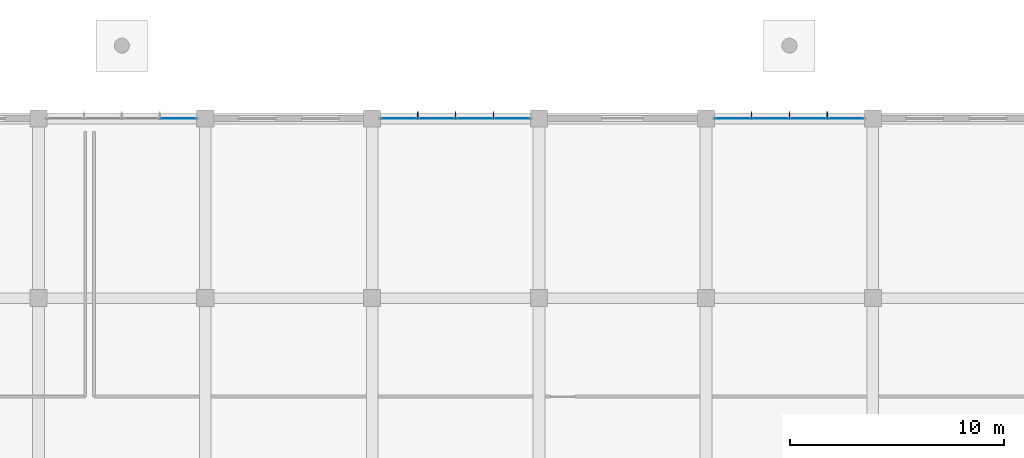
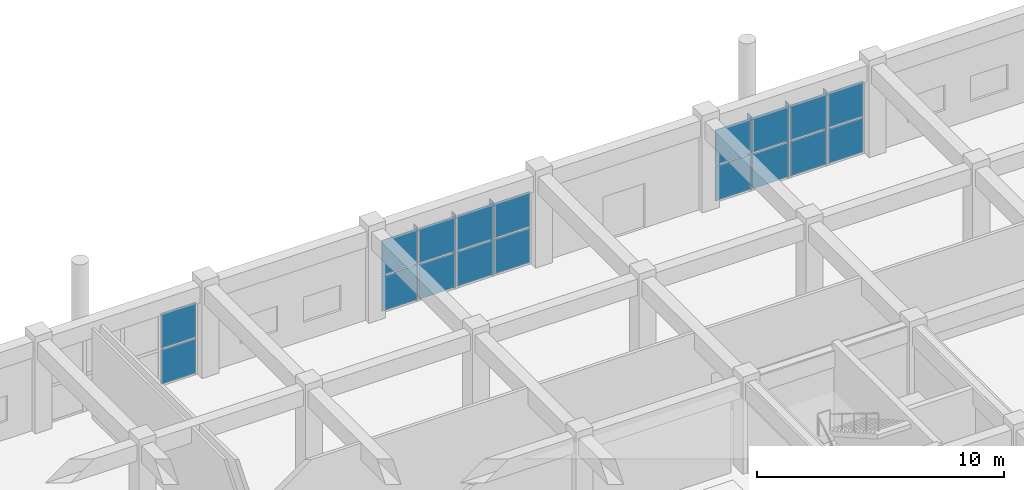
# One storey, part 119 of 139: 24 plates, 3 elements without a shape of their own.
"""IFC4 building model written with IfcOpenShell, lengths in metres."""

from ifc_helpers import new_model, si_unit, direction, frame, origin, origin_2d, place, context, subcontext, project, spatial, polyline, rectangle, outline, extrude, material, layer, layer_set, type_object, element, aggregate, save


model = new_model("IFC4")

# Units and contexts
model_context = context("Model", 3, precision=1e-05, world=origin(), true_north=direction((0.0, 1.0)))
body_context = subcontext(model_context, "Body", "Model", "MODEL_VIEW")
ifc_project = project(units=[si_unit("LENGTHUNIT", "METRE"), si_unit("AREAUNIT", "SQUARE_METRE"), si_unit("VOLUMEUNIT", "CUBIC_METRE"), si_unit("PLANEANGLEUNIT", "RADIAN"), si_unit("MASSUNIT", "GRAM", prefix="KILO")], contexts=[model_context])

# Site, building, storey
site_placement = place(None, origin())
site = spatial("IfcSite", under=ifc_project, at=site_placement, CompositionType="ELEMENT")
building_placement = place(site_placement, origin())
building = spatial("IfcBuilding", under=site, at=building_placement, Name="Zizhar Promenade General Hospital", CompositionType="ELEMENT")
storey_placement = place(building_placement, origin())
storey = spatial("IfcBuildingStorey", under=building, at=storey_placement, Name="L00", CompositionType="ELEMENT", Elevation=0.0)

# Curtain wall, plates
ifc_material_1 = material(Name="Anodised aluminium 6063-T6 and low-E glass", Category="aluminium")
ifc_layer_1 = layer(ifc_material_1, 0.159912109375)
ifc_layer_set_1 = layer_set([ifc_layer_1], Name="Anodised aluminium 6063-T6 and low-E glass")
curtain_wall_type = type_object("IfcCurtainWallType", Name="CW-DT-MOD2", PredefinedType="NOTDEFINED", material=ifc_layer_set_1)
curtain_wall_1_placement = place(storey_placement, origin())
curtain_wall_1 = element("IfcCurtainWall", 1, at=curtain_wall_1_placement, inside=storey, type_object=curtain_wall_type, Name="Surgical North Glazed Curtain Wall L00-11", PredefinedType="NOTDEFINED")
ifc_material_2 = material(Name="Low-E solar-control glass", Category="glass")
ifc_layer_2 = layer(ifc_material_2, 0.031982421875)
ifc_layer_set_2 = layer_set([ifc_layer_2], Name="Low-E solar-control glass")
plate_type_1 = type_object("IfcPlateType", Name="CWP-GLZ-32", PredefinedType="CURTAIN_PANEL", material=ifc_layer_set_2)
plate_1_placement = place(storey_placement, frame((92.3349609375, 134.39990234375, 0.06005859375), z_axis=(0.0, 0.0, 1.0), x_axis=(1.0, 0.0, 0.0)))
plate_1 = element("IfcPlate", 2, at=plate_1_placement, type_object=plate_type_1, Name="CW-08 panel 4.1", PredefinedType="CURTAIN_PANEL", context=body_context, shape_type="SweptSolid", body=[
    extrude(rectangle(XDim=1.64990234375, YDim=0.031982421875, at=origin_2d()), origin(), (0.0, 0.0, 1.0), 1.72509765625),
])
plate_2_placement = place(storey_placement, frame((92.3349609375, 134.39990234375, 1.844970703125), z_axis=(0.0, 0.0, 1.0), x_axis=(1.0, 0.0, 0.0)))
plate_2 = element("IfcPlate", 3, at=plate_2_placement, type_object=plate_type_1, Name="CW-08 panel 4.2", PredefinedType="CURTAIN_PANEL", context=body_context, shape_type="SweptSolid", body=[
    extrude(rectangle(XDim=1.64990234375, YDim=0.031982421875, at=origin_2d()), origin(), (0.0, 0.0, 1.0), 1.72509765625),
])
aggregate(curtain_wall_1, [plate_1, plate_2])

curtain_wall_2_placement = place(storey_placement, origin())
curtain_wall_2 = element("IfcCurtainWall", 4, at=curtain_wall_2_placement, inside=storey, type_object=curtain_wall_type, Name="Surgical North Glazed Curtain Wall L00-13", PredefinedType="NOTDEFINED")
plate_3_placement = place(storey_placement, frame((102.6650390625, 134.39990234375, 0.06005859375), z_axis=(0.0, 0.0, 1.0), x_axis=(1.0, 0.0, 0.0)))
plate_3 = element("IfcPlate", 5, at=plate_3_placement, type_object=plate_type_1, Name="CW-08 panel 1.1", PredefinedType="CURTAIN_PANEL", context=body_context, shape_type="SweptSolid", body=[
    extrude(rectangle(XDim=1.64990234375, YDim=0.031982421875, at=origin_2d()), origin(), (0.0, 0.0, 1.0), 1.72509765625),
])
plate_4_placement = place(storey_placement, frame((102.6650390625, 134.39990234375, 1.844970703125), z_axis=(0.0, 0.0, 1.0), x_axis=(1.0, 0.0, 0.0)))
plate_4 = element("IfcPlate", 6, at=plate_4_placement, type_object=plate_type_1, Name="CW-08 panel 1.2", PredefinedType="CURTAIN_PANEL", context=body_context, shape_type="SweptSolid", body=[
    extrude(rectangle(XDim=1.64990234375, YDim=0.031982421875, at=origin_2d()), origin(), (0.0, 0.0, 1.0), 1.72509765625),
])
plate_5_placement = place(storey_placement, frame((104.4150390625, 134.39990234375, 0.06005859375), z_axis=(0.0, 0.0, 1.0), x_axis=(1.0, 0.0, 0.0)))
plate_5 = element("IfcPlate", 7, at=plate_5_placement, type_object=plate_type_1, Name="CW-08 panel 2.1", PredefinedType="CURTAIN_PANEL", context=body_context, shape_type="SweptSolid", body=[
    extrude(rectangle(XDim=1.68994140625, YDim=0.031982421875, at=origin_2d()), origin(), (0.0, 0.0, 1.0), 1.72509765625),
])
plate_6_placement = place(storey_placement, frame((104.4150390625, 134.39990234375, 1.844970703125), z_axis=(0.0, 0.0, 1.0), x_axis=(1.0, 0.0, 0.0)))
plate_6 = element("IfcPlate", 8, at=plate_6_placement, type_object=plate_type_1, Name="CW-08 panel 2.2", PredefinedType="CURTAIN_PANEL", context=body_context, shape_type="SweptSolid", body=[
    extrude(rectangle(XDim=1.68994140625, YDim=0.031982421875, at=origin_2d()), origin(), (0.0, 0.0, 1.0), 1.72509765625),
])
plate_7_placement = place(storey_placement, frame((106.18505859375, 134.39990234375, 0.06005859375), z_axis=(0.0, 0.0, 1.0), x_axis=(1.0, 0.0, 0.0)))
plate_7 = element("IfcPlate", 9, at=plate_7_placement, type_object=plate_type_1, Name="CW-08 panel 3.1", PredefinedType="CURTAIN_PANEL", context=body_context, shape_type="SweptSolid", body=[
    extrude(rectangle(XDim=1.68994140625, YDim=0.031982421875, at=origin_2d()), origin(), (0.0, 0.0, 1.0), 1.72509765625),
])
plate_8_placement = place(storey_placement, frame((106.18505859375, 134.39990234375, 1.844970703125), z_axis=(0.0, 0.0, 1.0), x_axis=(1.0, 0.0, 0.0)))
plate_8 = element("IfcPlate", 10, at=plate_8_placement, type_object=plate_type_1, Name="CW-08 panel 3.2", PredefinedType="CURTAIN_PANEL", context=body_context, shape_type="SweptSolid", body=[
    extrude(rectangle(XDim=1.68994140625, YDim=0.031982421875, at=origin_2d()), origin(), (0.0, 0.0, 1.0), 1.72509765625),
])
plate_9_placement = place(storey_placement, frame((107.93505859375, 134.39990234375, 0.06005859375), z_axis=(0.0, 0.0, 1.0), x_axis=(1.0, 0.0, 0.0)))
plate_9 = element("IfcPlate", 11, at=plate_9_placement, type_object=plate_type_1, Name="CW-08 panel 4.1", PredefinedType="CURTAIN_PANEL", context=body_context, shape_type="SweptSolid", body=[
    extrude(rectangle(XDim=1.64990234375, YDim=0.031982421875, at=origin_2d()), origin(), (0.0, 0.0, 1.0), 1.72509765625),
])
plate_10_placement = place(storey_placement, frame((107.93505859375, 134.39990234375, 1.844970703125), z_axis=(0.0, 0.0, 1.0), x_axis=(1.0, 0.0, 0.0)))
plate_10 = element("IfcPlate", 12, at=plate_10_placement, type_object=plate_type_1, Name="CW-08 panel 4.2", PredefinedType="CURTAIN_PANEL", context=body_context, shape_type="SweptSolid", body=[
    extrude(rectangle(XDim=1.64990234375, YDim=0.031982421875, at=origin_2d()), origin(), (0.0, 0.0, 1.0), 1.72509765625),
])
aggregate(curtain_wall_2, [plate_3, plate_4, plate_5, plate_6, plate_7, plate_8, plate_9, plate_10])

curtain_wall_3_placement = place(storey_placement, origin())
curtain_wall_3 = element("IfcCurtainWall", 13, at=curtain_wall_3_placement, inside=storey, type_object=curtain_wall_type, Name="Surgical North Glazed Curtain Wall L00-15", PredefinedType="NOTDEFINED")
plate_11_placement = place(storey_placement, frame((118.264892578125, 134.39990234375, 0.06005859375), z_axis=(0.0, 0.0, 1.0), x_axis=(1.0, 0.0, 0.0)))
plate_11 = element("IfcPlate", 14, at=plate_11_placement, type_object=plate_type_1, Name="CW-08 panel 1.1", PredefinedType="CURTAIN_PANEL", context=body_context, shape_type="SweptSolid", body=[
    extrude(rectangle(XDim=1.64990234375, YDim=0.031982421875, at=origin_2d()), origin(), (0.0, 0.0, 1.0), 1.72509765625),
])
plate_12_placement = place(storey_placement, frame((118.264892578125, 134.39990234375, 1.844970703125), z_axis=(0.0, 0.0, 1.0), x_axis=(1.0, 0.0, 0.0)))
plate_12 = element("IfcPlate", 15, at=plate_12_placement, type_object=plate_type_1, Name="CW-08 panel 1.2", PredefinedType="CURTAIN_PANEL", context=body_context, shape_type="SweptSolid", body=[
    extrude(rectangle(XDim=1.64990234375, YDim=0.031982421875, at=origin_2d()), origin(), (0.0, 0.0, 1.0), 1.72509765625),
])
plate_13_placement = place(storey_placement, frame((120.014892578125, 134.39990234375, 0.06005859375), z_axis=(0.0, 0.0, 1.0), x_axis=(1.0, 0.0, 0.0)))
plate_13 = element("IfcPlate", 16, at=plate_13_placement, type_object=plate_type_1, Name="CW-08 panel 2.1", PredefinedType="CURTAIN_PANEL", context=body_context, shape_type="SweptSolid", body=[
    extrude(rectangle(XDim=1.68994140625, YDim=0.031982421875, at=origin_2d()), origin(), (0.0, 0.0, 1.0), 1.72509765625),
])
plate_14_placement = place(storey_placement, frame((120.014892578125, 134.39990234375, 1.844970703125), z_axis=(0.0, 0.0, 1.0), x_axis=(1.0, 0.0, 0.0)))
plate_14 = element("IfcPlate", 17, at=plate_14_placement, type_object=plate_type_1, Name="CW-08 panel 2.2", PredefinedType="CURTAIN_PANEL", context=body_context, shape_type="SweptSolid", body=[
    extrude(rectangle(XDim=1.68994140625, YDim=0.031982421875, at=origin_2d()), origin(), (0.0, 0.0, 1.0), 1.72509765625),
])
plate_15_placement = place(storey_placement, frame((121.784912109375, 134.39990234375, 0.06005859375), z_axis=(0.0, 0.0, 1.0), x_axis=(1.0, 0.0, 0.0)))
plate_15 = element("IfcPlate", 18, at=plate_15_placement, type_object=plate_type_1, Name="CW-08 panel 3.1", PredefinedType="CURTAIN_PANEL", context=body_context, shape_type="SweptSolid", body=[
    extrude(rectangle(XDim=1.68994140625, YDim=0.031982421875, at=origin_2d()), origin(), (0.0, 0.0, 1.0), 1.72509765625),
])
plate_16_placement = place(storey_placement, frame((121.784912109375, 134.39990234375, 1.844970703125), z_axis=(0.0, 0.0, 1.0), x_axis=(1.0, 0.0, 0.0)))
plate_16 = element("IfcPlate", 19, at=plate_16_placement, type_object=plate_type_1, Name="CW-08 panel 3.2", PredefinedType="CURTAIN_PANEL", context=body_context, shape_type="SweptSolid", body=[
    extrude(rectangle(XDim=1.68994140625, YDim=0.031982421875, at=origin_2d()), origin(), (0.0, 0.0, 1.0), 1.72509765625),
])
plate_17_placement = place(storey_placement, frame((123.534912109375, 134.39990234375, 0.06005859375), z_axis=(0.0, 0.0, 1.0), x_axis=(1.0, 0.0, 0.0)))
plate_17 = element("IfcPlate", 20, at=plate_17_placement, type_object=plate_type_1, Name="CW-08 panel 4.1", PredefinedType="CURTAIN_PANEL", context=body_context, shape_type="SweptSolid", body=[
    extrude(rectangle(XDim=1.64990234375, YDim=0.031982421875, at=origin_2d()), origin(), (0.0, 0.0, 1.0), 1.72509765625),
])
plate_18_placement = place(storey_placement, frame((123.534912109375, 134.39990234375, 1.844970703125), z_axis=(0.0, 0.0, 1.0), x_axis=(1.0, 0.0, 0.0)))
plate_18 = element("IfcPlate", 21, at=plate_18_placement, type_object=plate_type_1, Name="CW-08 panel 4.2", PredefinedType="CURTAIN_PANEL", context=body_context, shape_type="SweptSolid", body=[
    extrude(rectangle(XDim=1.64990234375, YDim=0.031982421875, at=origin_2d()), origin(), (0.0, 0.0, 1.0), 1.72509765625),
])
aggregate(curtain_wall_3, [plate_11, plate_12, plate_13, plate_14, plate_15, plate_16, plate_17, plate_18])

# Plates
ifc_material_3 = material(Name="Anodised aluminium 6063-T6", Category="aluminium")
ifc_layer_3 = layer(ifc_material_3, 0.033935546875)
ifc_layer_set_3 = layer_set([ifc_layer_3], Name="Anodised aluminium 6063-T6")
plate_type_2 = type_object("IfcPlateType", Name="FIN-ALU-320", PredefinedType="USERDEFINED", material=ifc_layer_set_3)
plate_19_placement = place(storey_placement, origin())
element("IfcPlate", 22, at=plate_19_placement, inside=storey, type_object=plate_type_2, Name="Surgical North Glazed Curtain Wall L00-13 Solar Fin 1", ObjectType="SOLAR_SHADE", PredefinedType="USERDEFINED", context=body_context, shape_type="SweptSolid", body=[
    extrude(outline(polyline([(103.512939453125, 134.39990234375), (103.547119140625, 134.39990234375), (103.547119140625, 134.719970703125), (103.512939453125, 134.719970703125), (103.512939453125, 134.39990234375)])), origin(), (0.0, 0.0, 1.0), 3.6298828125),
])
plate_20_placement = place(storey_placement, origin())
element("IfcPlate", 23, at=plate_20_placement, inside=storey, type_object=plate_type_2, Name="Surgical North Glazed Curtain Wall L00-13 Solar Fin 2", ObjectType="SOLAR_SHADE", PredefinedType="USERDEFINED", context=body_context, shape_type="SweptSolid", body=[
    extrude(outline(polyline([(105.282958984375, 134.39990234375), (105.31689453125, 134.39990234375), (105.31689453125, 134.719970703125), (105.282958984375, 134.719970703125), (105.282958984375, 134.39990234375)])), origin(), (0.0, 0.0, 1.0), 3.6298828125),
])
plate_21_placement = place(storey_placement, origin())
element("IfcPlate", 24, at=plate_21_placement, inside=storey, type_object=plate_type_2, Name="Surgical North Glazed Curtain Wall L00-13 Solar Fin 3", ObjectType="SOLAR_SHADE", PredefinedType="USERDEFINED", context=body_context, shape_type="SweptSolid", body=[
    extrude(outline(polyline([(107.052978515625, 134.39990234375), (107.0869140625, 134.39990234375), (107.0869140625, 134.719970703125), (107.052978515625, 134.719970703125), (107.052978515625, 134.39990234375)])), origin(), (0.0, 0.0, 1.0), 3.6298828125),
])
plate_22_placement = place(storey_placement, origin())
element("IfcPlate", 25, at=plate_22_placement, inside=storey, type_object=plate_type_2, Name="Surgical North Glazed Curtain Wall L00-15 Solar Fin 1", ObjectType="SOLAR_SHADE", PredefinedType="USERDEFINED", context=body_context, shape_type="SweptSolid", body=[
    extrude(outline(polyline([(119.113037109375, 134.39990234375), (119.14697265625, 134.39990234375), (119.14697265625, 134.719970703125), (119.113037109375, 134.719970703125), (119.113037109375, 134.39990234375)])), origin(), (0.0, 0.0, 1.0), 3.6298828125),
])
plate_23_placement = place(storey_placement, origin())
element("IfcPlate", 26, at=plate_23_placement, inside=storey, type_object=plate_type_2, Name="Surgical North Glazed Curtain Wall L00-15 Solar Fin 2", ObjectType="SOLAR_SHADE", PredefinedType="USERDEFINED", context=body_context, shape_type="SweptSolid", body=[
    extrude(outline(polyline([(120.883056640625, 134.39990234375), (120.9169921875, 134.39990234375), (120.9169921875, 134.719970703125), (120.883056640625, 134.719970703125), (120.883056640625, 134.39990234375)])), origin(), (0.0, 0.0, 1.0), 3.6298828125),
])
plate_24_placement = place(storey_placement, origin())
element("IfcPlate", 27, at=plate_24_placement, inside=storey, type_object=plate_type_2, Name="Surgical North Glazed Curtain Wall L00-15 Solar Fin 3", ObjectType="SOLAR_SHADE", PredefinedType="USERDEFINED", context=body_context, shape_type="SweptSolid", body=[
    extrude(outline(polyline([(122.653076171875, 134.39990234375), (122.68701171875, 134.39990234375), (122.68701171875, 134.719970703125), (122.653076171875, 134.719970703125), (122.653076171875, 134.39990234375)])), origin(), (0.0, 0.0, 1.0), 3.6298828125),
])

save(model, "model.ifc")
